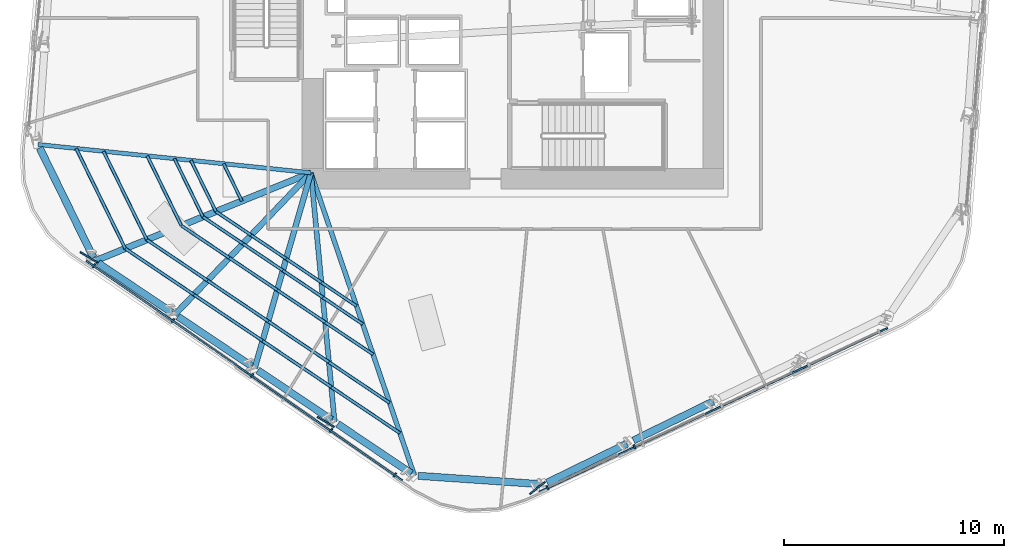
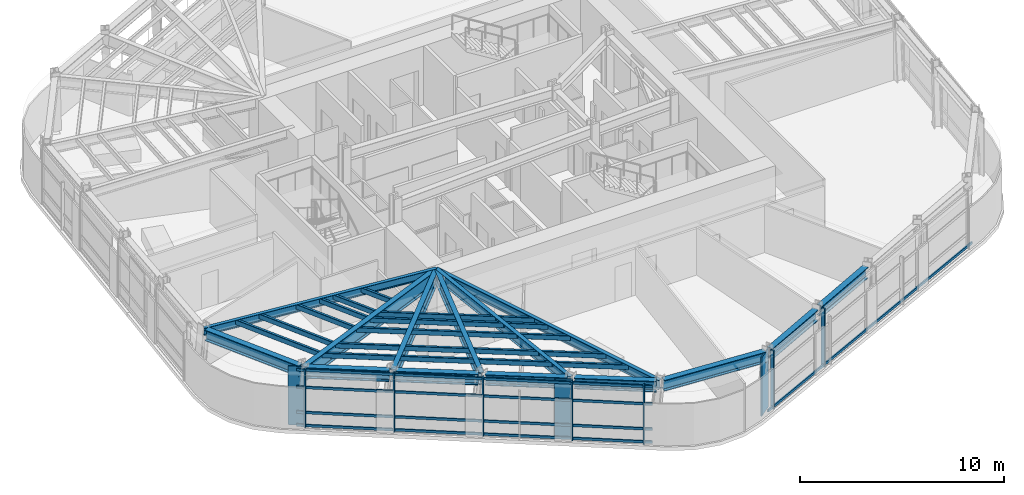
# One storey, part 2 of 19: 41 members, 14 beams, 2 elements without a shape of their own.
"""IFC4 building model written with IfcOpenShell, lengths in metres."""

from ifc_helpers import new_model, si_unit, direction, frame, origin, origin_2d, place, context, subcontext, project, spatial, rectangle, hollow_rectangle, i_section, extrude, material, layer, layer_set, material_profile, profile_set, type_object, element, aggregate, save


model = new_model("IFC4")

# Units and contexts
model_context = context("Model", 3, precision=1e-05, world=origin(), true_north=direction((0.0, 1.0)))
body_context = subcontext(model_context, "Body", "Model", "MODEL_VIEW")
ifc_project = project(units=[si_unit("LENGTHUNIT", "METRE"), si_unit("AREAUNIT", "SQUARE_METRE"), si_unit("VOLUMEUNIT", "CUBIC_METRE"), si_unit("PLANEANGLEUNIT", "RADIAN"), si_unit("MASSUNIT", "GRAM", prefix="KILO")], contexts=[model_context])

# Site, building, storey
site_placement = place(None, origin())
site = spatial("IfcSite", under=ifc_project, at=site_placement, CompositionType="ELEMENT")
building_placement = place(site_placement, origin())
building = spatial("IfcBuilding", under=site, at=building_placement, Name="Valkerne Bourse Tower", CompositionType="ELEMENT")
storey_placement = place(building_placement, frame((0.0, 0.0, 131.39990234375)))
storey = spatial("IfcBuildingStorey", under=building, at=storey_placement, Name="L33", CompositionType="ELEMENT", Elevation=131.39990234375)

# Beams
ifc_material_1 = material(Name="Steel ASTM A992", Category="steel")
ifc_material_profile_1 = material_profile(ifc_material_1, i_section(OverallWidth=0.1904296875, OverallDepth=0.457275390625, WebThickness=0.009033203125, FlangeThickness=0.014404296875, FilletRadius=0.01513671875, at=origin_2d()), Name="W18X50")
ifc_profile_set_1 = profile_set([ifc_material_profile_1], Name="Steel ASTM A992")
beam_type_1 = type_object("IfcBeamType", Name="BM-W18X50", PredefinedType="JOIST", material=ifc_profile_set_1)
beam_1_placement = place(storey_placement, frame((25.164794921875, 19.688720703125, 3.29150390625), z_axis=(0.994672063517, -0.103089699093, 0.0), x_axis=(0.103089699093, 0.994672063517, 0.0)))
element("IfcBeam", 1, at=beam_1_placement, inside=storey, type_object=beam_type_1, Name="L33 Radial Composite Floor Beam 14", PredefinedType="JOIST", context=body_context, shape_type="SweptSolid", body=[
    extrude(i_section(OverallWidth=0.1904296875, OverallDepth=0.457275390625, WebThickness=0.009033203125, FlangeThickness=0.014404296875, FilletRadius=0.01513671875, at=origin_2d()), origin(), (0.0, 0.0, 1.0), 12.501953125),
])
ifc_material_profile_2 = material_profile(ifc_material_1, i_section(OverallWidth=0.2138671875, OverallDepth=0.548583984375, WebThickness=0.0146484375, FlangeThickness=0.023681640625, FilletRadius=0.017822265625, at=origin_2d()), Name="W21X93")
ifc_profile_set_2 = profile_set([ifc_material_profile_2], Name="Steel ASTM A992")
beam_type_2 = type_object("IfcBeamType", Name="BM-W21X93", PredefinedType="BEAM", material=ifc_profile_set_2)
beam_2_placement = place(storey_placement, frame((42.314208984375, 4.607666015625, 3.245849609375), z_axis=(-0.323424465167, 0.94625399092, 0.0), x_axis=(-0.94625399092, -0.323424465167, 0.0)))
element("IfcBeam", 2, at=beam_2_placement, inside=storey, type_object=beam_type_2, Name="L33 Radial Composite Floor Beam 19", PredefinedType="BEAM", context=body_context, shape_type="SweptSolid", body=[
    extrude(i_section(OverallWidth=0.2138671875, OverallDepth=0.548583984375, WebThickness=0.0146484375, FlangeThickness=0.023681640625, FilletRadius=0.017822265625, at=origin_2d()), origin(), (0.0, 0.0, 1.0), 14.57568359375),
])
ifc_material_profile_3 = material_profile(ifc_material_1, i_section(OverallWidth=0.330078125, OverallDepth=0.647705078125, WebThickness=0.0205078125, FlangeThickness=0.037109375, FilletRadius=0.020263671875, at=origin_2d()), Name="W24X192")
ifc_profile_set_3 = profile_set([ifc_material_profile_3], Name="Steel ASTM A992")
beam_type_3 = type_object("IfcBeamType", Name="BM-W24X192", PredefinedType="SPANDREL", material=ifc_profile_set_3)
beam_3_placement = place(storey_placement, frame((25.23974609375, 19.535888671875, 3.1962890625), z_axis=(0.439933164117, -0.898030517917, 0.0), x_axis=(0.898030517917, 0.439933164117, 0.0)))
element("IfcBeam", 3, at=beam_3_placement, inside=storey, type_object=beam_type_3, Name="L33 Hexagonal Spandrel Ring Beam 14", PredefinedType="SPANDREL", context=body_context, shape_type="SweptSolid", body=[
    extrude(i_section(OverallWidth=0.330078125, OverallDepth=0.647705078125, WebThickness=0.0205078125, FlangeThickness=0.037109375, FilletRadius=0.020263671875, at=origin_2d()), origin(), (0.0, 0.0, 1.0), 5.564453125),
])
beam_4_placement = place(storey_placement, frame((27.903564453125, 14.291259765625, 3.1962890625), z_axis=(0.830038243968, -0.55770647616, 0.0), x_axis=(0.55770647616, 0.830038243968, 0.0)))
element("IfcBeam", 4, at=beam_4_placement, inside=storey, type_object=beam_type_3, Name="L33 Hexagonal Spandrel Ring Beam 15", PredefinedType="SPANDREL", context=body_context, shape_type="SweptSolid", body=[
    extrude(i_section(OverallWidth=0.330078125, OverallDepth=0.647705078125, WebThickness=0.0205078125, FlangeThickness=0.037109375, FilletRadius=0.020263671875, at=origin_2d()), origin(), (0.0, 0.0, 1.0), 4.043212890625),
])
beam_5_placement = place(storey_placement, frame((31.54150390625, 11.8466796875, 3.1962890625), z_axis=(0.830019460932, -0.55773443006, 0.0), x_axis=(0.55773443006, 0.830019460932, 0.0)))
element("IfcBeam", 5, at=beam_5_placement, inside=storey, type_object=beam_type_3, Name="L33 Hexagonal Spandrel Ring Beam 16", PredefinedType="SPANDREL", context=body_context, shape_type="SweptSolid", body=[
    extrude(i_section(OverallWidth=0.330078125, OverallDepth=0.647705078125, WebThickness=0.0205078125, FlangeThickness=0.037109375, FilletRadius=0.020263671875, at=origin_2d()), origin(), (0.0, 0.0, 1.0), 4.04296875),
])
beam_6_placement = place(storey_placement, frame((35.179443359375, 9.402099609375, 3.1962890625), z_axis=(0.830038243968, -0.55770647616, 0.0), x_axis=(0.55770647616, 0.830038243968, 0.0)))
element("IfcBeam", 6, at=beam_6_placement, inside=storey, type_object=beam_type_3, Name="L33 Hexagonal Spandrel Ring Beam 17", PredefinedType="SPANDREL", context=body_context, shape_type="SweptSolid", body=[
    extrude(i_section(OverallWidth=0.330078125, OverallDepth=0.647705078125, WebThickness=0.0205078125, FlangeThickness=0.037109375, FilletRadius=0.020263671875, at=origin_2d()), origin(), (0.0, 0.0, 1.0), 4.043212890625),
])
beam_7_placement = place(storey_placement, frame((38.8173828125, 6.95751953125, 3.1962890625), z_axis=(0.829991505846, -0.55777603052, 0.0), x_axis=(0.55777603052, 0.829991505846, 0.0)))
element("IfcBeam", 7, at=beam_7_placement, inside=storey, type_object=beam_type_3, Name="L33 Hexagonal Spandrel Ring Beam 18", PredefinedType="SPANDREL", context=body_context, shape_type="SweptSolid", body=[
    extrude(i_section(OverallWidth=0.330078125, OverallDepth=0.647705078125, WebThickness=0.0205078125, FlangeThickness=0.037109375, FilletRadius=0.020263671875, at=origin_2d()), origin(), (0.0, 0.0, 1.0), 4.04296875),
])
beam_8_placement = place(storey_placement, frame((42.48388671875, 4.59619140625, 3.1962890625), z_axis=(0.99768504591, -0.06800403787, 0.0), x_axis=(0.06800403787, 0.99768504591, 0.0)))
element("IfcBeam", 8, at=beam_8_placement, inside=storey, type_object=beam_type_3, Name="L33 Hexagonal Spandrel Ring Beam 19", PredefinedType="SPANDREL", context=body_context, shape_type="SweptSolid", body=[
    extrude(i_section(OverallWidth=0.330078125, OverallDepth=0.647705078125, WebThickness=0.0205078125, FlangeThickness=0.037109375, FilletRadius=0.020263671875, at=origin_2d()), origin(), (0.0, 0.0, 1.0), 5.564697265625),
])
for number, where, z_axis, x_axis, name in (
    (9, (48.35791015625, 4.281005859375, 3.1962890625), (0.898033008818, 0.439928079432, 0.0), (-0.439928079432, 0.898033008818, 0.0), "L33 Hexagonal Spandrel Ring Beam 20"),
    (10, (52.2939453125, 6.209228515625, 3.1962890625), (0.898033008818, 0.439928079432, 0.0), (-0.439928079432, 0.898033008818, 0.0), "L33 Hexagonal Spandrel Ring Beam 21"),
):
    element("IfcBeam", number, at=place(storey_placement, frame(where, z_axis=z_axis, x_axis=x_axis)), inside=storey, type_object=beam_type_3, Name=name, PredefinedType="SPANDREL", context=body_context, shape_type="SweptSolid", body=[
        extrude(i_section(OverallWidth=0.330078125, OverallDepth=0.647705078125, WebThickness=0.0205078125, FlangeThickness=0.037109375, FilletRadius=0.020263671875, at=origin_2d()), origin(), (0.0, 0.0, 1.0), 4.04296875),
    ])
ifc_material_profile_4 = material_profile(ifc_material_1, i_section(OverallWidth=0.228271484375, OverallDepth=0.607177734375, WebThickness=0.01123046875, FlangeThickness=0.017333984375, FilletRadius=0.017822265625, at=origin_2d()), Name="W24X76")
ifc_profile_set_4 = profile_set([ifc_material_profile_4], Name="Steel ASTM A992")
beam_type_4 = type_object("IfcBeamType", Name="BM-W24X76", PredefinedType="JOIST", material=ifc_profile_set_4)
beam_9_placement = place(storey_placement, frame((38.676513671875, 7.05224609375, 3.216552734375), z_axis=(-0.094434093979, 0.995531115483, 0.0), x_axis=(-0.995531115483, -0.094434093979, 0.0)))
element("IfcBeam", 11, at=beam_9_placement, inside=storey, type_object=beam_type_4, Name="L33 Radial Composite Floor Beam 18", PredefinedType="JOIST", context=body_context, shape_type="SweptSolid", body=[
    extrude(i_section(OverallWidth=0.228271484375, OverallDepth=0.607177734375, WebThickness=0.01123046875, FlangeThickness=0.017333984375, FilletRadius=0.017822265625, at=origin_2d()), origin(), (0.0, 0.0, 1.0), 11.398681640625),
])
ifc_material_profile_5 = material_profile(ifc_material_1, i_section(OverallWidth=0.255859375, OverallDepth=0.693359375, WebThickness=0.014404296875, FlangeThickness=0.023681640625, FilletRadius=0.02294921875, at=origin_2d()), Name="W27X114")
ifc_profile_set_5 = profile_set([ifc_material_profile_5], Name="Steel ASTM A992")
beam_type_5 = type_object("IfcBeamType", Name="BM-W27X114", PredefinedType="BEAM", material=ifc_profile_set_5)
beam_10_placement = place(storey_placement, frame((35.038330078125, 9.496826171875, 3.17333984375), z_axis=(0.276520096634, 0.961008135323, 0.0), x_axis=(-0.961008135323, 0.276520096634, 0.0)))
element("IfcBeam", 12, at=beam_10_placement, inside=storey, type_object=beam_type_5, Name="L33 Radial Composite Floor Beam 17", PredefinedType="BEAM", context=body_context, shape_type="SweptSolid", body=[
    extrude(i_section(OverallWidth=0.255859375, OverallDepth=0.693359375, WebThickness=0.014404296875, FlangeThickness=0.023681640625, FilletRadius=0.02294921875, at=origin_2d()), origin(), (0.0, 0.0, 1.0), 9.264404296875),
])
ifc_material_profile_6 = material_profile(ifc_material_1, i_section(OverallWidth=0.26806640625, OverallDepth=0.76953125, WebThickness=0.015625, FlangeThickness=0.025390625, FilletRadius=0.025390625, at=origin_2d()), Name="W30X132")
ifc_profile_set_6 = profile_set([ifc_material_profile_6], Name="Steel ASTM A992")
beam_type_6 = type_object("IfcBeamType", Name="BM-W30X132", PredefinedType="BEAM", material=ifc_profile_set_6)
beam_11_placement = place(storey_placement, frame((31.400390625, 11.94140625, 3.13525390625), z_axis=(0.692505715319, 0.721412388479, 0.0), x_axis=(-0.721412388479, 0.692505715319, 0.0)))
element("IfcBeam", 13, at=beam_11_placement, inside=storey, type_object=beam_type_6, Name="L33 Radial Composite Floor Beam 16", PredefinedType="BEAM", context=body_context, shape_type="SweptSolid", body=[
    extrude(i_section(OverallWidth=0.26806640625, OverallDepth=0.76953125, WebThickness=0.015625, FlangeThickness=0.025390625, FilletRadius=0.025390625, at=origin_2d()), origin(), (0.0, 0.0, 1.0), 8.95263671875),
])
ifc_material_profile_7 = material_profile(ifc_material_1, i_section(OverallWidth=0.2919921875, OverallDepth=0.8583984375, WebThickness=0.01708984375, FlangeThickness=0.031005859375, FilletRadius=0.025390625, at=origin_2d()), Name="W33X169")
ifc_profile_set_7 = profile_set([ifc_material_profile_7], Name="Steel ASTM A992")
beam_type_7 = type_object("IfcBeamType", Name="BM-W33X169", PredefinedType="BEAM", material=ifc_profile_set_7)
beam_12_placement = place(storey_placement, frame((27.762451171875, 14.385986328125, 3.0908203125), z_axis=(0.925895380507, 0.377780021117, 0.0), x_axis=(-0.377780021117, 0.925895380507, 0.0)))
element("IfcBeam", 14, at=beam_12_placement, inside=storey, type_object=beam_type_7, Name="L33 Radial Composite Floor Beam 15", PredefinedType="BEAM", context=body_context, shape_type="SweptSolid", body=[
    extrude(i_section(OverallWidth=0.2919921875, OverallDepth=0.8583984375, WebThickness=0.01708984375, FlangeThickness=0.031005859375, FilletRadius=0.025390625, at=origin_2d()), origin(), (0.0, 0.0, 1.0), 10.625),
])

# Curtain wall, members
ifc_material_2 = material(Name="Aluminium AA 6063-T6", Category="aluminium")
ifc_layer = layer(ifc_material_2, 0.22998046875)
ifc_layer_set = layer_set([ifc_layer], Name="Aluminium AA 6063-T6")
curtain_wall_type = type_object("IfcCurtainWallType", Name="CW-02", PredefinedType="NOTDEFINED", material=ifc_layer_set)
curtain_wall_1_placement = place(storey_placement, origin())
curtain_wall_1 = element("IfcCurtainWall", 15, at=curtain_wall_1_placement, inside=storey, type_object=curtain_wall_type, Name="L33 Hexagonal Stick Curtain Wall Face 4", PredefinedType="NOTDEFINED")
ifc_material_profile_8 = material_profile(ifc_material_2, rectangle(XDim=0.074951171875, YDim=0.199951171875, at=origin_2d()), Name="CWM-75X200")
ifc_profile_set_8 = profile_set([ifc_material_profile_8], Name="Aluminium AA 6063-T6")
member_type_1 = type_object("IfcMemberType", Name="CW-MUL-220X75", PredefinedType="MULLION", material=ifc_profile_set_8)
member_1_placement = place(storey_placement, frame((27.717529296875, 14.167724609375, 0.0), z_axis=(0.0, 0.0, 1.0), x_axis=(0.821153450054, -0.570707465751, 0.0)))
member_1 = element("IfcMember", 16, at=member_1_placement, type_object=member_type_1, Name="CW-L33-F4 Jamb Mullion 00A", PredefinedType="MULLION", context=body_context, shape_type="SweptSolid", body=[
    extrude(rectangle(XDim=0.074951171875, YDim=0.199951171875, at=origin_2d()), origin(), (0.0, 0.0, 1.0), 3.52001953125),
])
member_2_placement = place(storey_placement, frame((31.316650390625, 11.66650390625, 0.0), z_axis=(0.0, 0.0, 1.0), x_axis=(0.82114275782, -0.570722849797, 0.0)))
member_2 = element("IfcMember", 17, at=member_2_placement, type_object=member_type_1, Name="CW-L33-F4 Jamb Mullion 01A", PredefinedType="MULLION", context=body_context, shape_type="SweptSolid", body=[
    extrude(rectangle(XDim=0.074951171875, YDim=0.199951171875, at=origin_2d()), origin(), (0.0, 0.0, 1.0), 3.52001953125),
])
member_3_placement = place(storey_placement, frame((34.915771484375, 9.164794921875, 0.0), z_axis=(0.0, 0.0, 1.0), x_axis=(0.821146018677, -0.570718158123, 0.0)))
member_3 = element("IfcMember", 18, at=member_3_placement, type_object=member_type_1, Name="CW-L33-F4 Jamb Mullion 02A", PredefinedType="MULLION", context=body_context, shape_type="SweptSolid", body=[
    extrude(rectangle(XDim=0.074951171875, YDim=0.199951171875, at=origin_2d()), origin(), (0.0, 0.0, 1.0), 3.52001953125),
])
member_4_placement = place(storey_placement, frame((38.514892578125, 6.66357421875, 0.0), z_axis=(0.0, 0.0, 1.0), x_axis=(0.821153450054, -0.570707465751, 0.0)))
member_4 = element("IfcMember", 19, at=member_4_placement, type_object=member_type_1, Name="CW-L33-F4 Jamb Mullion 03A", PredefinedType="MULLION", context=body_context, shape_type="SweptSolid", body=[
    extrude(rectangle(XDim=0.074951171875, YDim=0.199951171875, at=origin_2d()), origin(), (0.0, 0.0, 1.0), 3.52001953125),
])
member_5_placement = place(storey_placement, frame((41.42431640625, 4.6416015625, 0.0), z_axis=(0.0, 0.0, 1.0), x_axis=(0.821153450054, -0.570707465751, 0.0)))
member_5 = element("IfcMember", 20, at=member_5_placement, type_object=member_type_1, Name="CW-L33-F4 Jamb Mullion 03B", PredefinedType="MULLION", context=body_context, shape_type="SweptSolid", body=[
    extrude(rectangle(XDim=0.074951171875, YDim=0.199951171875, at=origin_2d()), origin(), (0.0, 0.0, 1.0), 3.52001953125),
])

curtain_wall_2_placement = place(storey_placement, origin())
curtain_wall_2 = element("IfcCurtainWall", 21, at=curtain_wall_2_placement, inside=storey, type_object=curtain_wall_type, Name="L33 Hexagonal Stick Curtain Wall Face 5", PredefinedType="NOTDEFINED")
member_6_placement = place(storey_placement, frame((48.371826171875, 4.05810546875, 0.0), z_axis=(0.0, 0.0, 1.0), x_axis=(0.904828009037, 0.425777258743, 0.0)))
member_6 = element("IfcMember", 22, at=member_6_placement, type_object=member_type_1, Name="CW-L33-F5 Jamb Mullion 00A", PredefinedType="MULLION", context=body_context, shape_type="SweptSolid", body=[
    extrude(rectangle(XDim=0.074951171875, YDim=0.199951171875, at=origin_2d()), origin(), (0.0, 0.0, 1.0), 3.52001953125),
])
member_7_placement = place(storey_placement, frame((52.337646484375, 5.92431640625, 0.0), z_axis=(0.0, 0.0, 1.0), x_axis=(0.904823872824, 0.425786048582, 0.0)))
member_7 = element("IfcMember", 23, at=member_7_placement, type_object=member_type_1, Name="CW-L33-F5 Jamb Mullion 01A", PredefinedType="MULLION", context=body_context, shape_type="SweptSolid", body=[
    extrude(rectangle(XDim=0.074951171875, YDim=0.199951171875, at=origin_2d()), origin(), (0.0, 0.0, 1.0), 3.52001953125),
])

# Member
ifc_material_profile_9 = material_profile(ifc_material_2, rectangle(XDim=0.074951171875, YDim=0.14990234375, at=origin_2d()), Name="CWT-75X150")
ifc_profile_set_9 = profile_set([ifc_material_profile_9], Name="Aluminium AA 6063-T6")
member_type_2 = type_object("IfcMemberType", Name="CW-TRN-180X65", PredefinedType="USERDEFINED", material=ifc_profile_set_9)
member_8_placement = place(storey_placement, frame((27.361328125, 14.39111328125, 0.1201171875), z_axis=(0.821150074679, -0.570712322326, 0.0), x_axis=(0.570712322326, 0.821150074679, 0.0)))
member_8 = element("IfcMember", 24, at=member_8_placement, type_object=member_type_2, Name="CW-L33-F4 Continuous Face Transom 1", ObjectType="TRANSOM", PredefinedType="USERDEFINED", context=body_context, shape_type="SweptSolid", body=[
    extrude(rectangle(XDim=0.074951171875, YDim=0.14990234375, at=origin_2d()), origin(), (0.0, 0.0, 1.0), 17.53173828125),
])

member_9_placement = place(storey_placement, frame((27.361328125, 14.39111328125, 0.900146484375), z_axis=(0.821150074679, -0.570712322326, 0.0), x_axis=(0.570712322326, 0.821150074679, 0.0)))
member_9 = element("IfcMember", 25, at=member_9_placement, type_object=member_type_2, Name="CW-L33-F4 Continuous Face Transom 2", ObjectType="TRANSOM", PredefinedType="USERDEFINED", context=body_context, shape_type="SweptSolid", body=[
    extrude(rectangle(XDim=0.074951171875, YDim=0.14990234375, at=origin_2d()), origin(), (0.0, 0.0, 1.0), 17.53173828125),
])

member_10_placement = place(storey_placement, frame((27.361328125, 14.39111328125, 2.400146484375), z_axis=(0.821150074679, -0.570712322326, 0.0), x_axis=(0.570712322326, 0.821150074679, 0.0)))
member_10 = element("IfcMember", 26, at=member_10_placement, type_object=member_type_2, Name="CW-L33-F4 Continuous Face Transom 3", ObjectType="TRANSOM", PredefinedType="USERDEFINED", context=body_context, shape_type="SweptSolid", body=[
    extrude(rectangle(XDim=0.074951171875, YDim=0.14990234375, at=origin_2d()), origin(), (0.0, 0.0, 1.0), 17.53173828125),
])

member_11_placement = place(storey_placement, frame((27.361328125, 14.39111328125, 3.440185546875), z_axis=(0.821150074679, -0.570712322326, 0.0), x_axis=(0.570712322326, 0.821150074679, 0.0)))
member_11 = element("IfcMember", 27, at=member_11_placement, type_object=member_type_2, Name="CW-L33-F4 Continuous Face Transom 4", ObjectType="TRANSOM", PredefinedType="USERDEFINED", context=body_context, shape_type="SweptSolid", body=[
    extrude(rectangle(XDim=0.074951171875, YDim=0.14990234375, at=origin_2d()), origin(), (0.0, 0.0, 1.0), 17.53173828125),
])

aggregate(curtain_wall_1, [member_8, member_9, member_10, member_11, member_1, member_2, member_3, member_4, member_5])

member_12_placement = place(storey_placement, frame((48.000244140625, 3.861083984375, 0.1201171875), z_axis=(0.904826276176, 0.425780941262, 0.0), x_axis=(-0.425780941262, 0.904826276176, 0.0)))
member_12 = element("IfcMember", 28, at=member_12_placement, type_object=member_type_2, Name="CW-L33-F5 Continuous Face Transom 1", ObjectType="TRANSOM", PredefinedType="USERDEFINED", context=body_context, shape_type="SweptSolid", body=[
    extrude(rectangle(XDim=0.074951171875, YDim=0.14990234375, at=origin_2d()), origin(), (0.0, 0.0, 1.0), 17.5322265625),
])

aggregate(curtain_wall_2, [member_12, member_6, member_7])

# Members
ifc_material_3 = material(Name="Bronze Anodised Aluminium AA 6063-T6", Category="aluminium")
ifc_material_profile_10 = material_profile(ifc_material_3, rectangle(XDim=0.070068359375, YDim=0.89990234375, at=origin_2d()), Name="FIN-70X900")
ifc_profile_set_10 = profile_set([ifc_material_profile_10], Name="Bronze Anodised Aluminium AA 6063-T6")
member_type_3 = type_object("IfcMemberType", Name="FIN-SOLAR-900", PredefinedType="USERDEFINED", material=ifc_profile_set_10)
for number, where, z_axis, x_axis, name in (
    (29, (27.4755859375, 14.555419921875, 0.004150390625), (0.0, 0.0, 1.0), (-0.51872644096, -0.854940278294, 0.0), "L33 Bronze Anodised Solar Fin F4-00"),
    (30, (38.272705078125, 7.051025390625, 0.004150390625), (0.0, 0.0, 1.0), (-0.51872644096, -0.854940278294, 0.0), "L33 Bronze Anodised Solar Fin F4-03"),
    (31, (47.9150390625, 4.0419921875, 0.004150390625), (0.0, 0.0, 1.0), (0.625292601322, -0.780390391235, 0.0), "L33 Bronze Anodised Solar Fin F5-00"),
):
    element("IfcMember", number, at=place(storey_placement, frame(where, z_axis=z_axis, x_axis=x_axis)), inside=storey, type_object=member_type_3, Name=name, ObjectType="SOLAR_FIN", PredefinedType="USERDEFINED", context=body_context, shape_type="SweptSolid", body=[
        extrude(rectangle(XDim=0.070068359375, YDim=0.89990234375, at=origin_2d()), origin(), (0.0, 0.0, 1.0), 3.511962890625),
    ])
ifc_material_4 = material(Name="Steel ASTM A500 Grade C", Category="steel")
ifc_material_profile_11 = material_profile(ifc_material_4, hollow_rectangle(XDim=0.14990234375, YDim=0.300048828125, WallThickness=0.012451171875, OuterFilletRadius=0.02490234375, at=origin_2d()), Name="HSS300X150X12.5")
ifc_profile_set_11 = profile_set([ifc_material_profile_11], Name="Steel ASTM A500 Grade C")
member_type_4 = type_object("IfcMemberType", Name="MBR-HSS300X150X12.5", PredefinedType="PURLIN", material=ifc_profile_set_11)
member_13_placement = place(storey_placement, frame((33.620849609375, 18.8125, 3.360107421875), z_axis=(0.43980790237, -0.898091871143, 0.0), x_axis=(0.898091871143, 0.43980790237, 0.0)))
element("IfcMember", 32, at=member_13_placement, inside=storey, type_object=member_type_4, Name="L33 Secondary Composite Floor Purlin I-14", PredefinedType="PURLIN", context=body_context, shape_type="SweptSolid", body=[
    extrude(hollow_rectangle(XDim=0.14990234375, YDim=0.300048828125, WallThickness=0.012451171875, OuterFilletRadius=0.02490234375, at=origin_2d()), origin(), (0.0, 0.0, 1.0), 1.8896484375),
])
member_14_placement = place(storey_placement, frame((32.128662109375, 18.967041015625, 3.360107421875), z_axis=(0.439868995495, -0.898061950426, 0.0), x_axis=(0.898061950426, 0.439868995495, 0.0)))
element("IfcMember", 33, at=member_14_placement, inside=storey, type_object=member_type_4, Name="L33 Secondary Composite Floor Purlin K-14", PredefinedType="PURLIN", context=body_context, shape_type="SweptSolid", body=[
    extrude(hollow_rectangle(XDim=0.14990234375, YDim=0.300048828125, WallThickness=0.012451171875, OuterFilletRadius=0.02490234375, at=origin_2d()), origin(), (0.0, 0.0, 1.0), 2.59814453125),
])
for number, where, z_axis, x_axis, name in (
    (34, (33.271484375, 16.6337890625, 3.360107421875), (0.83007798391, -0.557647326388, 0.0), (0.557647326388, 0.83007798391, 0.0), "L33 Secondary Composite Floor Purlin K-15"),
    (35, (34.872314453125, 15.558349609375, 3.360107421875), (0.829980001391, -0.557793149196, 0.0), (0.557793149196, 0.829980001391, 0.0), "L33 Secondary Composite Floor Purlin K-16"),
    (36, (36.472900390625, 14.482666015625, 3.360107421875), (0.829980001391, -0.557793149196, 0.0), (0.557793149196, 0.829980001391, 0.0), "L33 Secondary Composite Floor Purlin K-17"),
):
    element("IfcMember", number, at=place(storey_placement, frame(where, z_axis=z_axis, x_axis=x_axis)), inside=storey, type_object=member_type_4, Name=name, PredefinedType="PURLIN", context=body_context, shape_type="SweptSolid", body=[
        extrude(hollow_rectangle(XDim=0.14990234375, YDim=0.300048828125, WallThickness=0.012451171875, OuterFilletRadius=0.02490234375, at=origin_2d()), origin(), (0.0, 0.0, 1.0), 1.928466796875),
    ])
member_15_placement = place(storey_placement, frame((38.073486328125, 13.406982421875, 3.360107421875), z_axis=(0.830019384191, -0.557734544265, 0.0), x_axis=(0.557734544265, 0.830019384191, 0.0)))
element("IfcMember", 37, at=member_15_placement, inside=storey, type_object=member_type_4, Name="L33 Secondary Composite Floor Purlin K-18", PredefinedType="PURLIN", context=body_context, shape_type="SweptSolid", body=[
    extrude(hollow_rectangle(XDim=0.14990234375, YDim=0.300048828125, WallThickness=0.012451171875, OuterFilletRadius=0.02490234375, at=origin_2d()), origin(), (0.0, 0.0, 1.0), 1.9287109375),
])
member_16_placement = place(storey_placement, frame((31.38232421875, 19.044189453125, 3.360107421875), z_axis=(0.439954561835, -0.898020035144, 0.0), x_axis=(0.898020035144, 0.439954561835, 0.0)))
element("IfcMember", 38, at=member_16_placement, inside=storey, type_object=member_type_4, Name="L33 Secondary Composite Floor Purlin M-14", PredefinedType="PURLIN", context=body_context, shape_type="SweptSolid", body=[
    extrude(hollow_rectangle(XDim=0.14990234375, YDim=0.300048828125, WallThickness=0.012451171875, OuterFilletRadius=0.02490234375, at=origin_2d()), origin(), (0.0, 0.0, 1.0), 2.9521484375),
])
member_17_placement = place(storey_placement, frame((32.68115234375, 16.39306640625, 3.360107421875), z_axis=(0.83000528269, -0.557755529517, 0.0), x_axis=(0.557755529517, 0.83000528269, 0.0)))
element("IfcMember", 39, at=member_17_placement, inside=storey, type_object=member_type_4, Name="L33 Secondary Composite Floor Purlin M-15", PredefinedType="PURLIN", context=body_context, shape_type="SweptSolid", body=[
    extrude(hollow_rectangle(XDim=0.14990234375, YDim=0.300048828125, WallThickness=0.012451171875, OuterFilletRadius=0.02490234375, at=origin_2d()), origin(), (0.0, 0.0, 1.0), 2.191650390625),
])
member_18_placement = place(storey_placement, frame((34.500244140625, 15.170654296875, 3.360107421875), z_axis=(0.830022200144, -0.557730353547, 0.0), x_axis=(0.557730353547, 0.830022200144, 0.0)))
element("IfcMember", 40, at=member_18_placement, inside=storey, type_object=member_type_4, Name="L33 Secondary Composite Floor Purlin M-16", PredefinedType="PURLIN", context=body_context, shape_type="SweptSolid", body=[
    extrude(hollow_rectangle(XDim=0.14990234375, YDim=0.300048828125, WallThickness=0.012451171875, OuterFilletRadius=0.02490234375, at=origin_2d()), origin(), (0.0, 0.0, 1.0), 2.19140625),
])
member_19_placement = place(storey_placement, frame((36.319091796875, 13.948486328125, 3.360107421875), z_axis=(0.83000528269, -0.557755529517, 0.0), x_axis=(0.557755529517, 0.83000528269, 0.0)))
element("IfcMember", 41, at=member_19_placement, inside=storey, type_object=member_type_4, Name="L33 Secondary Composite Floor Purlin M-17", PredefinedType="PURLIN", context=body_context, shape_type="SweptSolid", body=[
    extrude(hollow_rectangle(XDim=0.14990234375, YDim=0.300048828125, WallThickness=0.012451171875, OuterFilletRadius=0.02490234375, at=origin_2d()), origin(), (0.0, 0.0, 1.0), 2.191650390625),
])
member_20_placement = place(storey_placement, frame((38.13818359375, 12.72607421875, 3.360107421875), z_axis=(0.830022200144, -0.557730353547, 0.0), x_axis=(0.557730353547, 0.830022200144, 0.0)))
element("IfcMember", 42, at=member_20_placement, inside=storey, type_object=member_type_4, Name="L33 Secondary Composite Floor Purlin M-18", PredefinedType="PURLIN", context=body_context, shape_type="SweptSolid", body=[
    extrude(hollow_rectangle(XDim=0.14990234375, YDim=0.300048828125, WallThickness=0.012451171875, OuterFilletRadius=0.02490234375, at=origin_2d()), origin(), (0.0, 0.0, 1.0), 2.19140625),
])
member_21_placement = place(storey_placement, frame((28.1494140625, 19.37939453125, 3.360107421875), z_axis=(0.439908639489, -0.898042531789, 0.0), x_axis=(0.898042531789, 0.439908639489, 0.0)))
element("IfcMember", 43, at=member_21_placement, inside=storey, type_object=member_type_4, Name="L33 Secondary Composite Floor Purlin O-14", PredefinedType="PURLIN", context=body_context, shape_type="SweptSolid", body=[
    extrude(hollow_rectangle(XDim=0.14990234375, YDim=0.300048828125, WallThickness=0.012451171875, OuterFilletRadius=0.02490234375, at=origin_2d()), origin(), (0.0, 0.0, 1.0), 4.487548828125),
])
for number, where, z_axis, x_axis, name in (
    (44, (30.12353515625, 15.349365234375, 3.360107421875), (0.830015141175, -0.557740858661, 0.0), (0.557740858661, 0.830015141175, 0.0), "L33 Secondary Composite Floor Purlin O-15"),
    (45, (32.888427734375, 13.491455078125, 3.360107421875), (0.830015141175, -0.557740858661, 0.0), (0.557740858661, 0.830015141175, 0.0), "L33 Secondary Composite Floor Purlin O-16"),
    (46, (35.6533203125, 11.633544921875, 3.360107421875), (0.830015141175, -0.557740858661, 0.0), (0.557740858661, 0.830015141175, 0.0), "L33 Secondary Composite Floor Purlin O-17"),
):
    element("IfcMember", number, at=place(storey_placement, frame(where, z_axis=z_axis, x_axis=x_axis)), inside=storey, type_object=member_type_4, Name=name, PredefinedType="PURLIN", context=body_context, shape_type="SweptSolid", body=[
        extrude(hollow_rectangle(XDim=0.14990234375, YDim=0.300048828125, WallThickness=0.012451171875, OuterFilletRadius=0.02490234375, at=origin_2d()), origin(), (0.0, 0.0, 1.0), 3.3310546875),
    ])
member_22_placement = place(storey_placement, frame((38.418212890625, 9.775634765625, 3.360107421875), z_axis=(0.83002627193, -0.557724293811, 0.0), x_axis=(0.557724293811, 0.83002627193, 0.0)))
element("IfcMember", 47, at=member_22_placement, inside=storey, type_object=member_type_4, Name="L33 Secondary Composite Floor Purlin O-18", PredefinedType="PURLIN", context=body_context, shape_type="SweptSolid", body=[
    extrude(hollow_rectangle(XDim=0.14990234375, YDim=0.300048828125, WallThickness=0.012451171875, OuterFilletRadius=0.02490234375, at=origin_2d()), origin(), (0.0, 0.0, 1.0), 3.330810546875),
])
member_23_placement = place(storey_placement, frame((30.138916015625, 19.173095703125, 3.360107421875), z_axis=(0.439949116381, -0.89802270294, 0.0), x_axis=(0.89802270294, 0.439949116381, 0.0)))
element("IfcMember", 48, at=member_23_placement, inside=storey, type_object=member_type_4, Name="L33 Secondary Composite Floor Purlin Z-14", PredefinedType="PURLIN", context=body_context, shape_type="SweptSolid", body=[
    extrude(hollow_rectangle(XDim=0.14990234375, YDim=0.300048828125, WallThickness=0.012451171875, OuterFilletRadius=0.02490234375, at=origin_2d()), origin(), (0.0, 0.0, 1.0), 3.542724609375),
])
member_24_placement = place(storey_placement, frame((31.697509765625, 15.99169921875, 3.360107421875), z_axis=(0.830016697011, -0.5577385433, 0.0), x_axis=(0.5577385433, 0.830016697011, 0.0)))
element("IfcMember", 49, at=member_24_placement, inside=storey, type_object=member_type_4, Name="L33 Secondary Composite Floor Purlin Z-15", PredefinedType="PURLIN", context=body_context, shape_type="SweptSolid", body=[
    extrude(hollow_rectangle(XDim=0.14990234375, YDim=0.300048828125, WallThickness=0.012451171875, OuterFilletRadius=0.02490234375, at=origin_2d()), origin(), (0.0, 0.0, 1.0), 2.6298828125),
])
member_25_placement = place(storey_placement, frame((33.88037109375, 14.52490234375, 3.360107421875), z_axis=(0.82998781601, -0.557781521095, 0.0), x_axis=(0.557781521095, 0.82998781601, 0.0)))
element("IfcMember", 50, at=member_25_placement, inside=storey, type_object=member_type_4, Name="L33 Secondary Composite Floor Purlin Z-16", PredefinedType="PURLIN", context=body_context, shape_type="SweptSolid", body=[
    extrude(hollow_rectangle(XDim=0.14990234375, YDim=0.300048828125, WallThickness=0.012451171875, OuterFilletRadius=0.02490234375, at=origin_2d()), origin(), (0.0, 0.0, 1.0), 2.629638671875),
])
for number, where, z_axis, x_axis, name in (
    (51, (36.06298828125, 13.05810546875, 3.360107421875), (0.830016697011, -0.5577385433, 0.0), (0.5577385433, 0.830016697011, 0.0), "L33 Secondary Composite Floor Purlin Z-17"),
    (52, (38.245849609375, 11.59130859375, 3.360107421875), (0.830016697011, -0.5577385433, 0.0), (0.5577385433, 0.830016697011, 0.0), "L33 Secondary Composite Floor Purlin Z-18"),
):
    element("IfcMember", number, at=place(storey_placement, frame(where, z_axis=z_axis, x_axis=x_axis)), inside=storey, type_object=member_type_4, Name=name, PredefinedType="PURLIN", context=body_context, shape_type="SweptSolid", body=[
        extrude(hollow_rectangle(XDim=0.14990234375, YDim=0.300048828125, WallThickness=0.012451171875, OuterFilletRadius=0.02490234375, at=origin_2d()), origin(), (0.0, 0.0, 1.0), 2.6298828125),
    ])
member_26_placement = place(storey_placement, frame((26.90576171875, 19.50830078125, 3.360107421875), z_axis=(0.439910180381, -0.898041776977, 0.0), x_axis=(0.898041776977, 0.439910180381, 0.0)))
element("IfcMember", 53, at=member_26_placement, inside=storey, type_object=member_type_4, Name="L33 Secondary Composite Floor Purlin T-14", PredefinedType="PURLIN", context=body_context, shape_type="SweptSolid", body=[
    extrude(hollow_rectangle(XDim=0.14990234375, YDim=0.300048828125, WallThickness=0.012451171875, OuterFilletRadius=0.02490234375, at=origin_2d()), origin(), (0.0, 0.0, 1.0), 5.078125),
])
for number, where, z_axis, x_axis, name in (
    (54, (29.1396484375, 14.947998046875, 3.360107421875), (0.830021958665, -0.55773071292, 0.0), (0.55773071292, 0.830021958665, 0.0), "L33 Secondary Composite Floor Purlin T-15"),
    (55, (32.268310546875, 12.845703125, 3.360107421875), (0.830021958665, -0.55773071292, 0.0), (0.55773071292, 0.830021958665, 0.0), "L33 Secondary Composite Floor Purlin T-16"),
    (56, (35.39697265625, 10.743408203125, 3.360107421875), (0.830021958665, -0.55773071292, 0.0), (0.55773071292, 0.830021958665, 0.0), "L33 Secondary Composite Floor Purlin T-17"),
):
    element("IfcMember", number, at=place(storey_placement, frame(where, z_axis=z_axis, x_axis=x_axis)), inside=storey, type_object=member_type_4, Name=name, PredefinedType="PURLIN", context=body_context, shape_type="SweptSolid", body=[
        extrude(hollow_rectangle(XDim=0.14990234375, YDim=0.300048828125, WallThickness=0.012451171875, OuterFilletRadius=0.02490234375, at=origin_2d()), origin(), (0.0, 0.0, 1.0), 3.769287109375),
    ])
member_27_placement = place(storey_placement, frame((38.525634765625, 8.64111328125, 3.360107421875), z_axis=(0.829991974856, -0.557775332615, 0.0), x_axis=(0.557775332615, 0.829991974856, 0.0)))
element("IfcMember", 57, at=member_27_placement, inside=storey, type_object=member_type_4, Name="L33 Secondary Composite Floor Purlin T-18", PredefinedType="PURLIN", context=body_context, shape_type="SweptSolid", body=[
    extrude(hollow_rectangle(XDim=0.14990234375, YDim=0.300048828125, WallThickness=0.012451171875, OuterFilletRadius=0.02490234375, at=origin_2d()), origin(), (0.0, 0.0, 1.0), 3.76953125),
])

save(model, "model.ifc")
